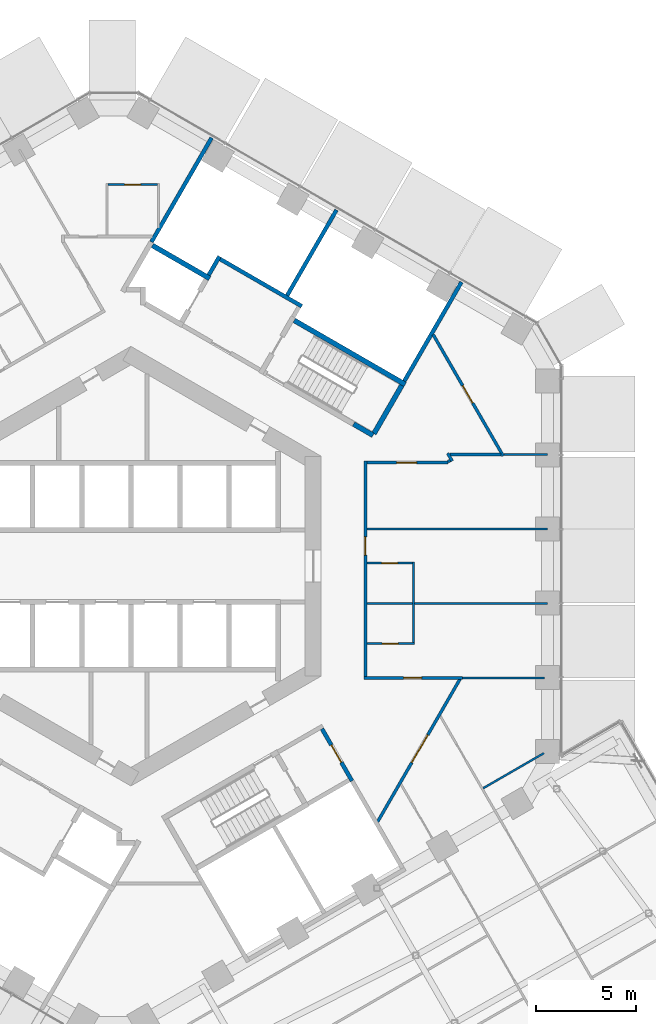
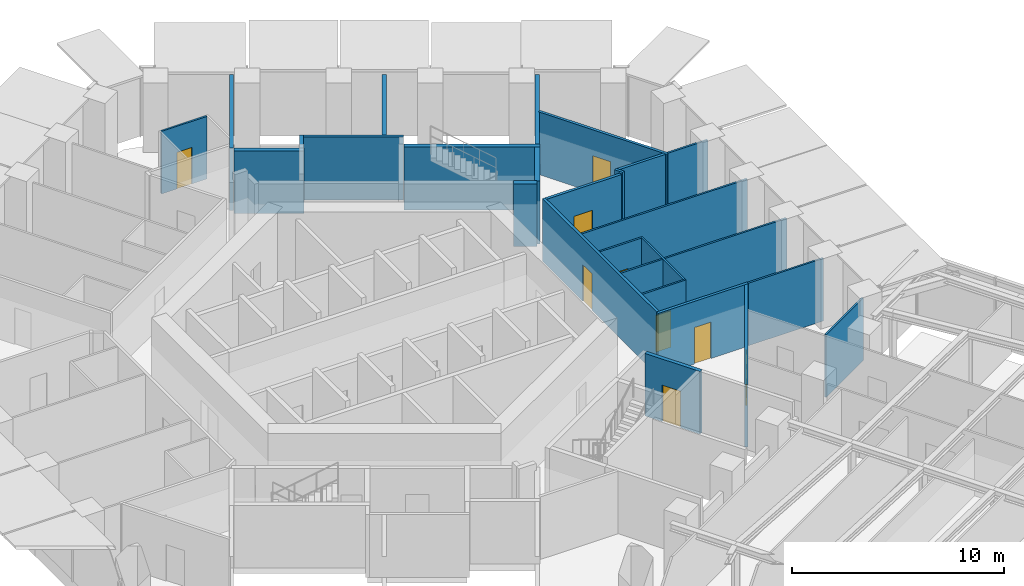
# One storey, part 20 of 28: 27 walls, 9 doors, 9 openings.
"""IFC4 building model written with IfcOpenShell, lengths in metres."""

from ifc_helpers import new_model, si_unit, direction, frame, frame_2d, origin, place, context, subcontext, project, spatial, rectangle, extrude, material, layer, layer_set, type_object, element, fill, save


model = new_model("IFC4")

# Units and contexts
model_context = context("Model", 3, precision=1e-05, world=origin(), true_north=direction((0.0, 1.0)))
body_context = subcontext(model_context, "Body", "Model", "MODEL_VIEW")
ifc_project = project(units=[si_unit("LENGTHUNIT", "METRE"), si_unit("AREAUNIT", "SQUARE_METRE"), si_unit("VOLUMEUNIT", "CUBIC_METRE"), si_unit("PLANEANGLEUNIT", "RADIAN"), si_unit("MASSUNIT", "GRAM", prefix="KILO")], contexts=[model_context])

# Site, building, storey
site_placement = place(None, origin())
site = spatial("IfcSite", under=ifc_project, at=site_placement, CompositionType="ELEMENT")
building_placement = place(site_placement, origin())
building = spatial("IfcBuilding", under=site, at=building_placement, Name="Ayvan Gate Tower", CompositionType="ELEMENT")
storey_placement = place(building_placement, frame((0.0, 0.0, 74.300048828125)))
storey = spatial("IfcBuildingStorey", under=building, at=storey_placement, Name="L19", CompositionType="ELEMENT", Elevation=74.300048828125)

# Wall, opening, door
ifc_material_1 = material(Name="Plasterboard on steel stud", Category="steel")
ifc_layer_1 = layer(ifc_material_1, 0.14990234375)
ifc_layer_set_1 = layer_set([ifc_layer_1], Name="Plasterboard on steel stud")
wall_type_1 = type_object("IfcWallType", Name="WT-CORR-150", PredefinedType="PARTITIONING", material=ifc_layer_set_1)
wall_1_placement = place(storey_placement, frame((11.625, -5.570556640625, 0.0), z_axis=(0.0, 0.0, 1.0), x_axis=(1.0, 0.0, 0.0)))
wall_1 = element("IfcWall", 1, at=wall_1_placement, inside=storey, type_object=wall_type_1, Name="IW-L19-105", PredefinedType="PARTITIONING", context=body_context, shape_type="SweptSolid", body=[
    extrude(rectangle(XDim=4.91455078125, YDim=0.14990234375, at=frame_2d((2.457275390625, 0.0))), origin(), (0.0, 0.0, 1.0), 3.599853515625),
])
opening_1_placement = place(wall_1_placement, frame((1.989990234375, 0.0, 0.0)))
opening_1 = element("IfcOpeningElement", 2, at=opening_1_placement, cuts=wall_1, Name="Opening L19-D17", PredefinedType="OPENING", context=body_context, shape_type="SweptSolid", body=[
    extrude(rectangle(XDim=0.89990234375, YDim=2.10009765625, at=frame_2d((0.449951171875, 1.050048828125))), frame((0.0, 0.0849609375, 0.0), z_axis=(0.0, -1.0, 0.0), x_axis=(1.0, 0.0, 0.0)), (0.0, 0.0, 1.0), 0.169921875),
])
ifc_material_2 = material(Name="Timber door leaf", Category="wood")
door_type_1 = type_object("IfcDoorType", Name="DT-900", OperationType="NOTDEFINED", PredefinedType="DOOR", material=ifc_material_2)
door_1_placement = place(opening_1_placement, origin())
door_1 = element("IfcDoor", 3, at=door_1_placement, inside=storey, type_object=door_type_1, Name="ID-L19-017", OperationType="SINGLE_SWING_RIGHT", OverallHeight=2.10009765625, OverallWidth=0.89990234375, PredefinedType="DOOR", context=body_context, shape_type="SweptSolid", body=[
    extrude(rectangle(XDim=0.89990234375, YDim=2.10009765625, at=frame_2d((0.449951171875, 1.050048828125))), frame((0.0, 0.02490234375, 0.0), z_axis=(0.0, -1.0, 0.0), x_axis=(1.0, 0.0, 0.0)), (0.0, 0.0, 1.0), 0.050048828125),
])
fill(opening_1, door_1)

wall_2_placement = place(storey_placement, frame((11.699951171875, -5.49560546875, 0.0), z_axis=(0.0, 0.0, 1.0), x_axis=(0.0, 1.0, 0.0)))
wall_2 = element("IfcWall", 4, at=wall_2_placement, inside=storey, type_object=wall_type_1, Name="IW-L19-106", PredefinedType="PARTITIONING", context=body_context, shape_type="SweptSolid", body=[
    extrude(rectangle(XDim=10.7412109375, YDim=0.14990234375, at=frame_2d((5.37060546875, 0.0))), origin(), (0.0, 0.0, 1.0), 3.599853515625),
])
opening_2_placement = place(wall_2_placement, frame((6.052490234375, 0.0, 0.0)))
opening_2 = element("IfcOpeningElement", 5, at=opening_2_placement, cuts=wall_2, Name="Opening L19-D19", PredefinedType="OPENING", context=body_context, shape_type="SweptSolid", body=[
    extrude(rectangle(XDim=0.89990234375, YDim=2.10009765625, at=frame_2d((0.449951171875, 1.050048828125))), frame((0.0, 0.0849609375, 0.0), z_axis=(0.0, -1.0, 0.0), x_axis=(1.0, 0.0, 0.0)), (0.0, 0.0, 1.0), 0.169921875),
])
door_2_placement = place(opening_2_placement, origin())
door_2 = element("IfcDoor", 6, at=door_2_placement, inside=storey, type_object=door_type_1, Name="ID-L19-019", OperationType="SINGLE_SWING_RIGHT", OverallHeight=2.10009765625, OverallWidth=0.89990234375, PredefinedType="DOOR", context=body_context, shape_type="SweptSolid", body=[
    extrude(rectangle(XDim=0.89990234375, YDim=2.10009765625, at=frame_2d((0.449951171875, 1.050048828125))), frame((0.0, 0.02490234375, 0.0), z_axis=(0.0, -1.0, 0.0), x_axis=(1.0, 0.0, 0.0)), (0.0, 0.0, 1.0), 0.050048828125),
])
fill(opening_2, door_2)

wall_3_placement = place(storey_placement, frame((12.315185546875, -12.757568359375, 0.0), z_axis=(0.0, 0.0, 1.0), x_axis=(0.499989712218, 0.866031343357, 0.0)))
wall_3 = element("IfcWall", 7, at=wall_3_placement, inside=storey, type_object=wall_type_1, Name="IW-L19-111", PredefinedType="PARTITIONING", context=body_context, shape_type="SweptSolid", body=[
    extrude(rectangle(XDim=8.223876953125, YDim=0.14990234375, at=frame_2d((4.11181640625, 0.0))), origin(), (0.0, 0.0, 1.0), 3.599853515625),
])
opening_3_placement = place(wall_3_placement, frame((3.40771484375, 0.0, 0.0)))
opening_3 = element("IfcOpeningElement", 8, at=opening_3_placement, cuts=wall_3, Name="Opening L19-D37", PredefinedType="OPENING", context=body_context, shape_type="SweptSolid", body=[
    extrude(rectangle(XDim=1.60009765625, YDim=2.10009765625, at=frame_2d((0.800048828125, 1.050048828125))), frame((0.0, 0.0849609375, 0.0), z_axis=(0.0, -1.0, 0.0), x_axis=(1.0, 0.0, 0.0)), (0.0, 0.0, 1.0), 0.169921875),
])
door_type_2 = type_object("IfcDoorType", Name="DT-1600", OperationType="NOTDEFINED", PredefinedType="DOOR", material=ifc_material_2)
door_3_placement = place(opening_3_placement, origin())
door_3 = element("IfcDoor", 9, at=door_3_placement, inside=storey, type_object=door_type_2, Name="ID-L19-037", OperationType="SINGLE_SWING_RIGHT", OverallHeight=2.10009765625, OverallWidth=1.60009765625, PredefinedType="DOOR", context=body_context, shape_type="SweptSolid", body=[
    extrude(rectangle(XDim=1.60009765625, YDim=2.10009765625, at=frame_2d((0.800048828125, 1.050048828125))), frame((0.0, 0.02490234375, 0.0), z_axis=(0.0, -1.0, 0.0), x_axis=(1.0, 0.0, 0.0)), (0.0, 0.0, 1.0), 0.050048828125),
])
fill(opening_3, door_3)

wall_4_placement = place(storey_placement, frame((15.086669921875, 11.5576171875, 0.0), z_axis=(0.0, 0.0, 1.0), x_axis=(0.499975479054, -0.866039560496, 0.0)))
wall_4 = element("IfcWall", 10, at=wall_4_placement, inside=storey, type_object=wall_type_1, Name="IW-L19-115", PredefinedType="PARTITIONING", context=body_context, shape_type="SweptSolid", body=[
    extrude(rectangle(XDim=6.988037109375, YDim=0.14990234375, at=frame_2d((3.494140625, 0.0))), origin(), (0.0, 0.0, 1.0), 3.599853515625),
])
opening_4_placement = place(wall_4_placement, frame((2.939208984375, 0.0, 0.0)))
opening_4 = element("IfcOpeningElement", 11, at=opening_4_placement, cuts=wall_4, Name="Opening L19-D22", PredefinedType="OPENING", context=body_context, shape_type="SweptSolid", body=[
    extrude(rectangle(XDim=1.0, YDim=2.10009765625, at=frame_2d((0.5, 1.050048828125))), frame((0.0, 0.0849609375, 0.0), z_axis=(0.0, -1.0, 0.0), x_axis=(1.0, 0.0, 0.0)), (0.0, 0.0, 1.0), 0.169921875),
])
door_type_3 = type_object("IfcDoorType", Name="DT-1000", OperationType="NOTDEFINED", PredefinedType="DOOR", material=ifc_material_2)
door_4_placement = place(opening_4_placement, origin())
door_4 = element("IfcDoor", 12, at=door_4_placement, inside=storey, type_object=door_type_3, Name="ID-L19-022", OperationType="SINGLE_SWING_LEFT", OverallHeight=2.10009765625, OverallWidth=1.0, PredefinedType="DOOR", context=body_context, shape_type="SweptSolid", body=[
    extrude(rectangle(XDim=1.0, YDim=2.10009765625, at=frame_2d((0.5, 1.050048828125))), frame((0.0, 0.02490234375, 0.0), z_axis=(0.0, -1.0, 0.0), x_axis=(1.0, 0.0, 0.0)), (0.0, 0.0, 1.0), 0.050048828125),
])
fill(opening_4, door_4)

wall_5_placement = place(storey_placement, frame((15.830810546875, 5.170654296875, 0.0), z_axis=(0.0, 0.0, 1.0), x_axis=(-1.0, 0.0, 0.0)))
wall_5 = element("IfcWall", 13, at=wall_5_placement, inside=storey, type_object=wall_type_1, Name="IW-L19-118", PredefinedType="PARTITIONING", context=body_context, shape_type="SweptSolid", body=[
    extrude(rectangle(XDim=4.055908203125, YDim=0.14990234375, at=frame_2d((2.02783203125, 0.0))), origin(), (0.0, 0.0, 1.0), 3.599853515625),
])
opening_5_placement = place(wall_5_placement, frame((1.5654296875, 0.0, 0.0)))
opening_5 = element("IfcOpeningElement", 14, at=opening_5_placement, cuts=wall_5, Name="Opening L19-D21", PredefinedType="OPENING", context=body_context, shape_type="SweptSolid", body=[
    extrude(rectangle(XDim=1.0, YDim=2.10009765625, at=frame_2d((0.5, 1.050048828125))), frame((0.0, 0.0849609375, 0.0), z_axis=(0.0, -1.0, 0.0), x_axis=(1.0, 0.0, 0.0)), (0.0, 0.0, 1.0), 0.169921875),
])
door_5_placement = place(opening_5_placement, origin())
door_5 = element("IfcDoor", 15, at=door_5_placement, inside=storey, type_object=door_type_3, Name="ID-L19-021", OperationType="SINGLE_SWING_RIGHT", OverallHeight=2.10009765625, OverallWidth=1.0, PredefinedType="DOOR", context=body_context, shape_type="SweptSolid", body=[
    extrude(rectangle(XDim=1.0, YDim=2.10009765625, at=frame_2d((0.5, 1.050048828125))), frame((0.0, 0.02490234375, 0.0), z_axis=(0.0, -1.0, 0.0), x_axis=(1.0, 0.0, 0.0)), (0.0, 0.0, 1.0), 0.050048828125),
])
fill(opening_5, door_5)

# Walls
wall_6_placement = place(storey_placement, frame((15.8115234375, 5.635498046875, 0.0), z_axis=(0.0, 0.0, 1.0), x_axis=(0.500051437896, -0.865995704065, 0.0)))
element("IfcWall", 16, at=wall_6_placement, inside=storey, type_object=wall_type_1, Name="IW-L19-119", PredefinedType="PARTITIONING", context=body_context, shape_type="SweptSolid", body=[
    extrude(rectangle(XDim=0.44970703125, YDim=0.14990234375, at=frame_2d((0.224853515625, 0.0))), origin(), (0.0, 0.0, 1.0), 3.599853515625),
])
wall_7_placement = place(storey_placement, frame((15.93408203125, 5.2734375, 0.0), z_axis=(0.0, 0.0, 1.0), x_axis=(-0.865936922628, -0.500153222552, 0.0)))
element("IfcWall", 17, at=wall_7_placement, inside=storey, type_object=wall_type_1, Name="IW-L19-120", PredefinedType="PARTITIONING", context=body_context, shape_type="SweptSolid", body=[
    extrude(rectangle(XDim=0.130859375, YDim=0.14990234375, at=frame_2d((0.0654296875, 0.0))), origin(), (0.0, 0.0, 1.0), 3.599853515625),
])
wall_8_placement = place(storey_placement, frame((18.468017578125, 5.570556640625, 0.0), z_axis=(0.0, 0.0, 1.0), x_axis=(-1.0, 0.0, 0.0)))
element("IfcWall", 18, at=wall_8_placement, inside=storey, type_object=wall_type_1, Name="IW-L19-125", PredefinedType="PARTITIONING", context=body_context, shape_type="SweptSolid", body=[
    extrude(rectangle(XDim=2.5439453125, YDim=0.14990234375, at=frame_2d((1.27197265625, 0.0))), origin(), (0.0, 0.0, 1.0), 3.599853515625),
])

# Wall, opening, door
ifc_layer_2 = layer(ifc_material_1, 0.10009765625)
ifc_layer_set_2 = layer_set([ifc_layer_2], Name="Plasterboard on steel stud")
wall_type_2 = type_object("IfcWallType", Name="WT-PART-100", PredefinedType="PARTITIONING", material=ifc_layer_set_2)
wall_9_placement = place(storey_placement, frame((1.328857421875, 19.044189453125, 0.0), z_axis=(0.0, 0.0, 1.0), x_axis=(-1.0, 0.0, 0.0)))
wall_9 = element("IfcWall", 19, at=wall_9_placement, inside=storey, type_object=wall_type_2, Name="IW-L19-074", PredefinedType="PARTITIONING", context=body_context, shape_type="SweptSolid", body=[
    extrude(rectangle(XDim=2.476318359375, YDim=0.10009765625, at=frame_2d((1.23828125, 0.0))), origin(), (0.0, 0.0, 1.0), 3.599853515625),
])
opening_6_placement = place(wall_9_placement, frame((0.838134765625, 0.0, 0.0)))
opening_6 = element("IfcOpeningElement", 20, at=opening_6_placement, cuts=wall_9, Name="Opening L19-D24", PredefinedType="OPENING", context=body_context, shape_type="SweptSolid", body=[
    extrude(rectangle(XDim=0.800048828125, YDim=2.10009765625, at=frame_2d((0.39990234375, 1.050048828125))), frame((0.0, 0.06005859375, 0.0), z_axis=(0.0, -1.0, 0.0), x_axis=(1.0, 0.0, 0.0)), (0.0, 0.0, 1.0), 0.1201171875),
])
door_type_4 = type_object("IfcDoorType", Name="DT-800", OperationType="NOTDEFINED", PredefinedType="DOOR", material=ifc_material_2)
door_6_placement = place(opening_6_placement, origin())
door_6 = element("IfcDoor", 21, at=door_6_placement, inside=storey, type_object=door_type_4, Name="ID-L19-024", OperationType="SINGLE_SWING_LEFT", OverallHeight=2.10009765625, OverallWidth=0.800048828125, PredefinedType="DOOR", context=body_context, shape_type="SweptSolid", body=[
    extrude(rectangle(XDim=0.800048828125, YDim=2.10009765625, at=frame_2d((0.39990234375, 1.050048828125))), frame((0.0, 0.02490234375, 0.0), z_axis=(0.0, -1.0, 0.0), x_axis=(1.0, 0.0, 0.0)), (0.0, 0.0, 1.0), 0.050048828125),
])
fill(opening_6, door_6)

wall_10_placement = place(storey_placement, frame((11.77490234375, -3.87060546875, 0.0), z_axis=(0.0, 0.0, 1.0), x_axis=(1.0, 0.0, 0.0)))
wall_10 = element("IfcWall", 22, at=wall_10_placement, inside=storey, type_object=wall_type_2, Name="IW-L19-107", PredefinedType="PARTITIONING", context=body_context, shape_type="SweptSolid", body=[
    extrude(rectangle(XDim=2.375, YDim=0.10009765625, at=frame_2d((1.1875, 0.0))), origin(), (0.0, 0.0, 1.0), 3.599853515625),
])
opening_7_placement = place(wall_10_placement, frame((0.762451171875, 0.0, 0.0)))
opening_7 = element("IfcOpeningElement", 23, at=opening_7_placement, cuts=wall_10, Name="Opening L19-D18", PredefinedType="OPENING", context=body_context, shape_type="SweptSolid", body=[
    extrude(rectangle(XDim=0.800048828125, YDim=2.10009765625, at=frame_2d((0.39990234375, 1.050048828125))), frame((0.0, 0.06005859375, 0.0), z_axis=(0.0, -1.0, 0.0), x_axis=(1.0, 0.0, 0.0)), (0.0, 0.0, 1.0), 0.1201171875),
])
door_7_placement = place(opening_7_placement, origin())
door_7 = element("IfcDoor", 24, at=door_7_placement, inside=storey, type_object=door_type_4, Name="ID-L19-018", OperationType="SINGLE_SWING_LEFT", OverallHeight=2.10009765625, OverallWidth=0.800048828125, PredefinedType="DOOR", context=body_context, shape_type="SweptSolid", body=[
    extrude(rectangle(XDim=0.800048828125, YDim=2.10009765625, at=frame_2d((0.39990234375, 1.050048828125))), frame((0.0, 0.02490234375, 0.0), z_axis=(0.0, -1.0, 0.0), x_axis=(1.0, 0.0, 0.0)), (0.0, 0.0, 1.0), 0.050048828125),
])
fill(opening_7, door_7)

# Walls
for number, where, z_axis, x_axis, name in (
    (25, (11.77490234375, -1.85693359375, 0.0), (0.0, 0.0, 1.0), (1.0, 0.0, 0.0), "IW-L19-108"),
    (26, (11.77490234375, 1.85693359375, 0.0), (0.0, 0.0, 1.0), (1.0, 0.0, 0.0), "IW-L19-109"),
):
    element("IfcWall", number, at=place(storey_placement, frame(where, z_axis=z_axis, x_axis=x_axis)), inside=storey, type_object=wall_type_2, Name=name, PredefinedType="PARTITIONING", context=body_context, shape_type="SweptSolid", body=[
        extrude(rectangle(XDim=9.009765625, YDim=0.10009765625, at=frame_2d((4.5048828125, 0.0))), origin(), (0.0, 0.0, 1.0), 3.599853515625),
    ])
wall_11_placement = place(storey_placement, frame((14.10009765625, -3.820556640625, 0.0), z_axis=(0.0, 0.0, 1.0), x_axis=(0.0, 1.0, 0.0)))
element("IfcWall", 27, at=wall_11_placement, inside=storey, type_object=wall_type_2, Name="IW-L19-113", PredefinedType="PARTITIONING", context=body_context, shape_type="SweptSolid", body=[
    extrude(rectangle(XDim=4.02734375, YDim=0.10009765625, at=frame_2d((2.013671875, 0.0))), origin(), (0.0, 0.0, 1.0), 3.599853515625),
])

# Wall, opening, door
wall_12_placement = place(storey_placement, frame((14.050048828125, 0.156982421875, 0.0), z_axis=(0.0, 0.0, 1.0), x_axis=(-1.0, 0.0, 0.0)))
wall_12 = element("IfcWall", 28, at=wall_12_placement, inside=storey, type_object=wall_type_2, Name="IW-L19-114", PredefinedType="PARTITIONING", context=body_context, shape_type="SweptSolid", body=[
    extrude(rectangle(XDim=2.275146484375, YDim=0.10009765625, at=frame_2d((1.1376953125, 0.0))), origin(), (0.0, 0.0, 1.0), 3.599853515625),
])
opening_8_placement = place(wall_12_placement, frame((0.737548828125, 0.0, 0.0)))
opening_8 = element("IfcOpeningElement", 29, at=opening_8_placement, cuts=wall_12, Name="Opening L19-D20", PredefinedType="OPENING", context=body_context, shape_type="SweptSolid", body=[
    extrude(rectangle(XDim=0.800048828125, YDim=2.10009765625, at=frame_2d((0.39990234375, 1.050048828125))), frame((0.0, 0.06005859375, 0.0), z_axis=(0.0, -1.0, 0.0), x_axis=(1.0, 0.0, 0.0)), (0.0, 0.0, 1.0), 0.1201171875),
])
door_8_placement = place(opening_8_placement, origin())
door_8 = element("IfcDoor", 30, at=door_8_placement, inside=storey, type_object=door_type_4, Name="ID-L19-020", OperationType="SINGLE_SWING_LEFT", OverallHeight=2.10009765625, OverallWidth=0.800048828125, PredefinedType="DOOR", context=body_context, shape_type="SweptSolid", body=[
    extrude(rectangle(XDim=0.800048828125, YDim=2.10009765625, at=frame_2d((0.39990234375, 1.050048828125))), frame((0.0, 0.02490234375, 0.0), z_axis=(0.0, -1.0, 0.0), x_axis=(1.0, 0.0, 0.0)), (0.0, 0.0, 1.0), 0.050048828125),
])
fill(opening_8, door_8)

# Walls
wall_13_placement = place(storey_placement, frame((18.617919921875, 5.570556640625, 0.0), z_axis=(0.0, 0.0, 1.0), x_axis=(1.0, 0.0, 0.0)))
element("IfcWall", 31, at=wall_13_placement, inside=storey, type_object=wall_type_2, Name="IW-L19-124", PredefinedType="PARTITIONING", context=body_context, shape_type="SweptSolid", body=[
    extrude(rectangle(XDim=2.166748046875, YDim=0.10009765625, at=frame_2d((1.08349609375, 0.0))), origin(), (0.0, 0.0, 1.0), 3.599853515625),
])
wall_14_placement = place(storey_placement, frame((20.616455078125, -9.33203125, 0.0), z_axis=(0.0, 0.0, 1.0), x_axis=(-0.866005819648, -0.500033919186, 0.0)))
element("IfcWall", 32, at=wall_14_placement, inside=storey, type_object=wall_type_2, Name="IW-L19-127", PredefinedType="PARTITIONING", context=body_context, shape_type="SweptSolid", body=[
    extrude(rectangle(XDim=3.505615234375, YDim=0.10009765625, at=frame_2d((1.7529296875, 0.0))), origin(), (0.0, 0.0, 1.0), 3.599853515625),
])
wall_15_placement = place(storey_placement, frame((20.634765625, -5.570556640625, 0.0), z_axis=(0.0, 0.0, 1.0), x_axis=(-1.0, 0.0, 0.0)))
element("IfcWall", 33, at=wall_15_placement, inside=storey, type_object=wall_type_2, Name="IW-L19-128", PredefinedType="PARTITIONING", context=body_context, shape_type="SweptSolid", body=[
    extrude(rectangle(XDim=4.09521484375, YDim=0.10009765625, at=frame_2d((2.047607421875, 0.0))), origin(), (0.0, 0.0, 1.0), 3.599853515625),
])
ifc_layer_3 = layer(ifc_material_1, 0.199951171875)
ifc_layer_set_3 = layer_set([ifc_layer_3], Name="Plasterboard on steel stud")
wall_type_3 = type_object("IfcWallType", Name="WT-PLUMB-200", PredefinedType="PLUMBINGWALL", material=ifc_layer_set_3)
wall_16_placement = place(storey_placement, frame((1.027099609375, 16.178955078125, 0.0), z_axis=(0.0, 0.0, 1.0), x_axis=(0.500005224826, 0.866022387209, 0.0)))
element("IfcWall", 34, at=wall_16_placement, inside=storey, type_object=wall_type_3, Name="IW-L19-071", PredefinedType="PLUMBINGWALL", context=body_context, shape_type="SweptSolid", body=[
    extrude(rectangle(XDim=6.00390625, YDim=0.199951171875, at=frame_2d((3.001953125, 0.0))), origin(), (0.0, 0.0, 1.0), 3.599853515625),
])
wall_17_placement = place(storey_placement, frame((3.885009765625, 14.52880859375, 0.0), z_axis=(0.0, 0.0, 1.0), x_axis=(0.499997628298, 0.866026773083, 0.0)))
element("IfcWall", 35, at=wall_17_placement, inside=storey, type_object=wall_type_3, Name="IW-L19-083", PredefinedType="PLUMBINGWALL", context=body_context, shape_type="SweptSolid", body=[
    extrude(rectangle(XDim=1.0751953125, YDim=0.199951171875, at=frame_2d((0.53759765625, 0.0))), origin(), (0.0, 0.0, 1.0), 3.599853515625),
])
wall_18_placement = place(storey_placement, frame((4.458984375, 15.323486328125, 0.0), z_axis=(0.0, 0.0, 1.0), x_axis=(0.866016039709, -0.500016218704, 0.0)))
element("IfcWall", 36, at=wall_18_placement, inside=storey, type_object=wall_type_3, Name="IW-L19-084", PredefinedType="PLUMBINGWALL", context=body_context, shape_type="SweptSolid", body=[
    extrude(rectangle(XDim=4.699951171875, YDim=0.199951171875, at=frame_2d((2.35009765625, 0.0))), origin(), (0.0, 0.0, 1.0), 3.599853515625),
])
wall_19_placement = place(storey_placement, frame((7.800048828125, 13.510009765625, 0.0), z_axis=(0.0, 0.0, 1.0), x_axis=(0.49998543329, 0.866033813715, 0.0)))
element("IfcWall", 37, at=wall_19_placement, inside=storey, type_object=wall_type_3, Name="IW-L19-096", PredefinedType="PLUMBINGWALL", context=body_context, shape_type="SweptSolid", body=[
    extrude(rectangle(XDim=4.928955078125, YDim=0.199951171875, at=frame_2d((2.46435546875, 0.0))), origin(), (0.0, 0.0, 1.0), 3.599853515625),
])
wall_20_placement = place(storey_placement, frame((13.64794921875, 9.23876953125, 0.0), z_axis=(0.0, 0.0, 1.0), x_axis=(0.499983049987, 0.866035189658, 0.0)))
element("IfcWall", 38, at=wall_20_placement, inside=storey, type_object=wall_type_3, Name="IW-L19-116", PredefinedType="PLUMBINGWALL", context=body_context, shape_type="SweptSolid", body=[
    extrude(rectangle(XDim=5.703857421875, YDim=0.199951171875, at=frame_2d((2.85205078125, 0.0))), origin(), (0.0, 0.0, 1.0), 3.599853515625),
])

# Wall, opening, door
ifc_layer_4 = layer(ifc_material_1, 0.199951171875)
ifc_layer_set_4 = layer_set([ifc_layer_4], Name="Plasterboard on steel stud")
wall_type_4 = type_object("IfcWallType", Name="WT-RATED-200", PredefinedType="PARTITIONING", material=ifc_layer_set_4)
wall_21_placement = place(storey_placement, frame((9.537353515625, -8.119140625, 0.0), z_axis=(0.0, 0.0, 1.0), x_axis=(0.499990139034, -0.866031096941, 0.0)))
wall_21 = element("IfcWall", 39, at=wall_21_placement, inside=storey, type_object=wall_type_4, Name="IW-L19-100", PredefinedType="PARTITIONING", context=body_context, shape_type="SweptSolid", body=[
    extrude(rectangle(XDim=3.0, YDim=0.199951171875, at=frame_2d((1.5, 0.0))), origin(), (0.0, 0.0, 1.0), 3.599853515625),
])
opening_9_placement = place(wall_21_placement, frame((0.93505859375, 0.0, 0.0)))
opening_9 = element("IfcOpeningElement", 40, at=opening_9_placement, cuts=wall_21, Name="Opening L19-D15", PredefinedType="OPENING", context=body_context, shape_type="SweptSolid", body=[
    extrude(rectangle(XDim=1.0, YDim=2.10009765625, at=frame_2d((0.5, 1.050048828125))), frame((0.0, 0.10986328125, 0.0), z_axis=(0.0, -1.0, 0.0), x_axis=(1.0, 0.0, 0.0)), (0.0, 0.0, 1.0), 0.219970703125),
])
door_9_placement = place(opening_9_placement, origin())
door_9 = element("IfcDoor", 41, at=door_9_placement, inside=storey, type_object=door_type_3, Name="ID-L19-015", OperationType="SINGLE_SWING_RIGHT", OverallHeight=2.10009765625, OverallWidth=1.0, PredefinedType="DOOR", context=body_context, shape_type="SweptSolid", body=[
    extrude(rectangle(XDim=1.0, YDim=2.10009765625, at=frame_2d((0.5, 1.050048828125))), frame((0.0, 0.02490234375, 0.0), z_axis=(0.0, -1.0, 0.0), x_axis=(1.0, 0.0, 0.0)), (0.0, 0.0, 1.0), 0.050048828125),
])
fill(opening_9, door_9)

# Walls
ifc_material_3 = material(Name="Concrete C50/60", Category="concrete")
ifc_layer_5 = layer(ifc_material_3, 0.25)
ifc_layer_set_5 = layer_set([ifc_layer_5], Name="Concrete C50/60")
wall_type_5 = type_object("IfcWallType", Name="WT-RC-250", PredefinedType="SHEAR", material=ifc_layer_set_5)
wall_22_placement = place(storey_placement, frame((1.072998046875, 16.00830078125, 0.0), z_axis=(0.0, 0.0, 1.0), x_axis=(0.866040211805, -0.499974350878, 0.0)))
element("IfcWall", 42, at=wall_22_placement, inside=storey, type_object=wall_type_5, Name="IW-L19-072", PredefinedType="SHEAR", context=body_context, shape_type="SweptSolid", body=[
    extrude(rectangle(XDim=3.300048828125, YDim=0.25, at=frame_2d((1.64990234375, 0.0))), origin(), (0.0, 0.0, 1.0), 3.599853515625),
])
wall_23_placement = place(storey_placement, frame((8.151123046875, 12.26806640625, 0.0), z_axis=(0.0, 0.0, 1.0), x_axis=(0.866025499775, -0.499999833739, 0.0)))
element("IfcWall", 43, at=wall_23_placement, inside=storey, type_object=wall_type_5, Name="IW-L19-097", PredefinedType="SHEAR", context=body_context, shape_type="SweptSolid", body=[
    extrude(rectangle(XDim=6.39990234375, YDim=0.25, at=frame_2d((3.199951171875, 0.0))), origin(), (0.0, 0.0, 1.0), 3.599853515625),
])
wall_24_placement = place(storey_placement, frame((12.08544921875, 6.532470703125, 0.0), z_axis=(0.0, 0.0, 1.0), x_axis=(-0.86604373436, 0.499968249168, 0.0)))
element("IfcWall", 44, at=wall_24_placement, inside=storey, type_object=wall_type_5, Name="IW-L19-110", PredefinedType="SHEAR", context=body_context, shape_type="SweptSolid", body=[
    extrude(rectangle(XDim=1.11767578125, YDim=0.25, at=frame_2d((0.558837890625, 0.0))), origin(), (0.0, 0.0, 1.0), 3.599853515625),
])
wall_25_placement = place(storey_placement, frame((13.52294921875, 9.022216796875, 0.0), z_axis=(0.0, 0.0, 1.0), x_axis=(-0.500013277472, -0.866017737897, 0.0)))
element("IfcWall", 45, at=wall_25_placement, inside=storey, type_object=wall_type_5, Name="IW-L19-112", PredefinedType="SHEAR", context=body_context, shape_type="SweptSolid", body=[
    extrude(rectangle(XDim=2.78564453125, YDim=0.25, at=frame_2d((1.392822265625, 0.0))), origin(), (0.0, 0.0, 1.0), 3.599853515625),
])

save(model, "model.ifc")
